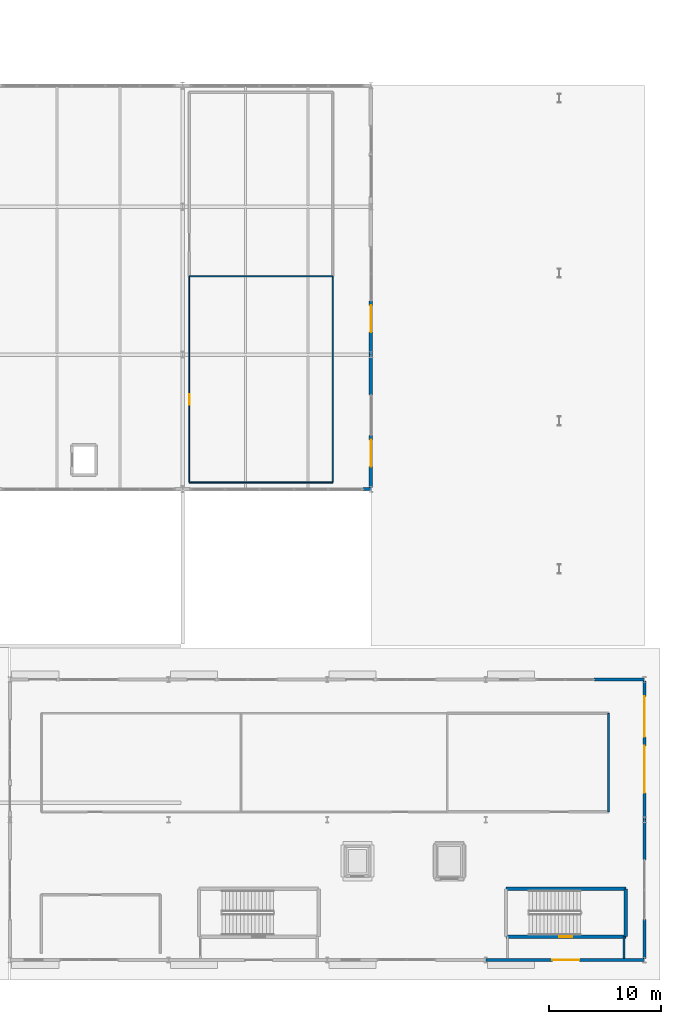
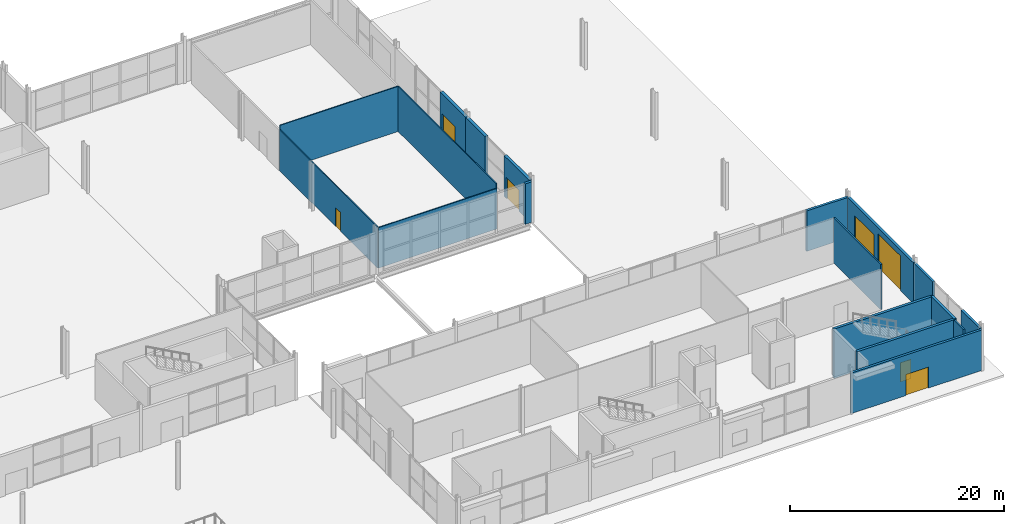
# One storey, part 69 of 87: 18 walls, 7 doors, 7 openings.
"""IFC4 building model written with IfcOpenShell, lengths in metres."""

from ifc_helpers import new_model, si_unit, direction, frame, frame_2d, origin, place, context, subcontext, project, spatial, rectangle, extrude, material, layer, layer_set, type_object, element, fill, save


model = new_model("IFC4")

# Units and contexts
model_context = context("Model", 3, precision=1e-05, world=origin(), true_north=direction((0.0, 1.0)))
body_context = subcontext(model_context, "Body", "Model", "MODEL_VIEW")
ifc_project = project(units=[si_unit("LENGTHUNIT", "METRE"), si_unit("AREAUNIT", "SQUARE_METRE"), si_unit("VOLUMEUNIT", "CUBIC_METRE"), si_unit("PLANEANGLEUNIT", "RADIAN"), si_unit("MASSUNIT", "GRAM", prefix="KILO")], contexts=[model_context])

# Site, building, storey
site_placement = place(None, origin())
site = spatial("IfcSite", under=ifc_project, at=site_placement, CompositionType="ELEMENT")
building_placement = place(site_placement, origin())
building = spatial("IfcBuilding", under=site, at=building_placement, Name="Kimbaza Rail Terminus", CompositionType="ELEMENT")
storey_placement = place(building_placement, origin())
storey = spatial("IfcBuildingStorey", under=building, at=storey_placement, Name="L00", CompositionType="ELEMENT", Elevation=0.0)

# Wall
ifc_material_1 = material(Name="Concrete blockwork C30/37", Category="masonry")
ifc_layer_1 = layer(ifc_material_1, 0.260009765625)
ifc_layer_set_1 = layer_set([ifc_layer_1], Name="Concrete blockwork C30/37")
wall_type_1 = type_object("IfcWallType", Name="ARC-WL-EXT260", PredefinedType="STANDARD", material=ifc_layer_set_1)
wall_1_placement = place(storey_placement, frame((209.5, 38.0, 0.0), z_axis=(0.0, 0.0, 1.0), x_axis=(1.0, 0.0, 0.0)))
element("IfcWall", 1, at=wall_1_placement, inside=storey, type_object=wall_type_1, Name="Pavilion N Wall L00.3B", PredefinedType="STANDARD", context=body_context, shape_type="SweptSolid", body=[
    extrude(rectangle(XDim=4.5, YDim=0.260009765625, at=frame_2d((2.25, 0.0))), origin(), (0.0, 0.0, 1.0), 4.625),
])

# Wall, opening, door
wall_2_placement = place(storey_placement, frame((199.85009765625, 13.0, 0.0), z_axis=(0.0, 0.0, 1.0), x_axis=(1.0, 0.0, 0.0)))
wall_2 = element("IfcWall", 2, at=wall_2_placement, inside=storey, type_object=wall_type_1, Name="Pavilion South Stair Exit Wall 3", PredefinedType="STANDARD", context=body_context, shape_type="SweptSolid", body=[
    extrude(rectangle(XDim=14.14990234375, YDim=0.260009765625, at=frame_2d((7.074951171875, 0.0))), origin(), (0.0, 0.0, 1.0), 4.625),
])
opening_1_placement = place(wall_2_placement, frame((8.349853515625, 0.0, 0.0), z_axis=(0.0, 0.0, 1.0), x_axis=(-1.0, 0.0, 0.0)))
opening_1 = element("IfcOpeningElement", 3, at=opening_1_placement, cuts=wall_2, Name="Opening D-EX1", PredefinedType="OPENING", context=body_context, shape_type="SweptSolid", body=[
    extrude(rectangle(XDim=2.39990234375, YDim=2.39990234375, at=frame_2d((1.199951171875, 1.199951171875))), frame((0.0, 0.139892578125, 0.0), z_axis=(0.0, -1.0, 0.0), x_axis=(1.0, 0.0, 0.0)), (0.0, 0.0, 1.0), 0.280029296875),
])
ifc_material_2 = material(Name="Anodised aluminium and toughened safety glass", Category="aluminium")
door_type_1 = type_object("IfcDoorType", Name="ARC-DR-EX240", OperationType="NOTDEFINED", PredefinedType="DOOR", material=ifc_material_2)
door_1_placement = place(opening_1_placement, origin())
door_1 = element("IfcDoor", 4, at=door_1_placement, inside=storey, type_object=door_type_1, Name="DR-EX-STP2", OperationType="SINGLE_SWING_LEFT", OverallHeight=2.39990234375, OverallWidth=2.39990234375, PredefinedType="DOOR", context=body_context, shape_type="SweptSolid", body=[
    extrude(rectangle(XDim=2.39990234375, YDim=2.39990234375, at=frame_2d((1.199951171875, 1.199951171875))), frame((0.0, 0.02490234375, 0.0), z_axis=(0.0, -1.0, 0.0), x_axis=(1.0, 0.0, 0.0)), (0.0, 0.0, 1.0), 0.050048828125),
])
fill(opening_1, door_1)

# Walls
wall_3_placement = place(storey_placement, frame((214.0, 13.1298828125, 0.0), z_axis=(0.0, 0.0, 1.0), x_axis=(0.0, 1.0, 0.0)))
element("IfcWall", 5, at=wall_3_placement, inside=storey, type_object=wall_type_1, Name="Pavilion E Pier L00.0", PredefinedType="STANDARD", context=body_context, shape_type="SweptSolid", body=[
    extrude(rectangle(XDim=3.47021484375, YDim=0.260009765625, at=frame_2d((1.735107421875, 0.0))), origin(), (0.0, 0.0, 1.0), 4.675048828125),
])
wall_4_placement = place(storey_placement, frame((214.0, 21.89990234375, 0.0), z_axis=(0.0, 0.0, 1.0), x_axis=(0.0, 1.0, 0.0)))
element("IfcWall", 6, at=wall_4_placement, inside=storey, type_object=wall_type_1, Name="Pavilion E Corner L00.0", PredefinedType="STANDARD", context=body_context, shape_type="SweptSolid", body=[
    extrude(rectangle(XDim=3.60009765625, YDim=0.260009765625, at=frame_2d((1.800048828125, 0.0))), origin(), (0.0, 0.0, 1.0), 4.675048828125),
])
ifc_material_3 = material(Name="Precast concrete C40/50", Category="concrete")
ifc_layer_2 = layer(ifc_material_3, 0.280029296875)
ifc_layer_set_2 = layer_set([ifc_layer_2], Name="Precast concrete C40/50")
wall_type_2 = type_object("IfcWallType", Name="ARC-WL-EXT280", PredefinedType="STANDARD", material=ifc_layer_set_2)
wall_5_placement = place(storey_placement, frame((188.8798828125, 55.0, 0.0), z_axis=(0.0, 0.0, 1.0), x_axis=(1.0, 0.0, 0.0)))
element("IfcWall", 7, at=wall_5_placement, inside=storey, type_object=wall_type_2, Name="Ticket Hall Wing E Curtain Wall L00.2 Corner Pier B", PredefinedType="STANDARD", context=body_context, shape_type="SweptSolid", body=[
    extrude(rectangle(XDim=0.72021484375, YDim=0.280029296875, at=frame_2d((0.360107421875, 0.0))), origin(), (0.0, 0.0, 1.0), 4.625),
])

# Wall, openings, doors
wall_6_placement = place(storey_placement, frame((214.0, 25.5, 0.0), z_axis=(0.0, 0.0, 1.0), x_axis=(0.0, 1.0, 0.0)))
wall_6 = element("IfcWall", 8, at=wall_6_placement, inside=storey, type_object=wall_type_2, Name="Retail Pavilion East Loading Wall", PredefinedType="STANDARD", context=body_context, shape_type="SweptSolid", body=[
    extrude(rectangle(XDim=12.3701171875, YDim=0.280029296875, at=frame_2d((6.18505859375, 0.0))), origin(), (0.0, 0.0, 1.0), 4.675048828125),
])
opening_2_placement = place(wall_6_placement, frame((6.599853515625, 0.0, 0.0), z_axis=(0.0, 0.0, 1.0), x_axis=(-1.0, 0.0, 0.0)))
opening_2 = element("IfcOpeningElement", 9, at=opening_2_placement, cuts=wall_6, Name="Opening D-GT1", PredefinedType="OPENING", context=body_context, shape_type="SweptSolid", body=[
    extrude(rectangle(XDim=4.199951171875, YDim=4.0, at=frame_2d((2.10009765625, 2.0))), frame((0.0, 0.14990234375, 0.0), z_axis=(0.0, -1.0, 0.0), x_axis=(1.0, 0.0, 0.0)), (0.0, 0.0, 1.0), 0.300048828125),
])
opening_3_placement = place(wall_6_placement, frame((11.0, 0.0, 0.0), z_axis=(0.0, 0.0, 1.0), x_axis=(-1.0, 0.0, 0.0)))
opening_3 = element("IfcOpeningElement", 10, at=opening_3_placement, cuts=wall_6, Name="Opening D-GT2", PredefinedType="OPENING", context=body_context, shape_type="SweptSolid", body=[
    extrude(rectangle(XDim=3.60009765625, YDim=3.39990234375, at=frame_2d((1.800048828125, 1.699951171875))), frame((0.0, 0.14990234375, 0.0), z_axis=(0.0, -1.0, 0.0), x_axis=(1.0, 0.0, 0.0)), (0.0, 0.0, 1.0), 0.300048828125),
])
ifc_material_4 = material(Name="Galvanised steel baggage service shutter", Category="steel")
door_type_2 = type_object("IfcDoorType", Name="ARC-DR-GAT36", OperationType="NOTDEFINED", PredefinedType="GATE", material=ifc_material_4)
door_2_placement = place(opening_3_placement, origin())
door_2 = element("IfcDoor", 11, at=door_2_placement, inside=storey, type_object=door_type_2, Name="DR-GAT-V4LOAD2", OperationType="ROLLINGUP", OverallHeight=3.39990234375, OverallWidth=3.60009765625, PredefinedType="GATE", context=body_context, shape_type="SweptSolid", body=[
    extrude(rectangle(XDim=3.60009765625, YDim=3.39990234375, at=frame_2d((1.800048828125, 1.699951171875))), frame((0.0, 0.02490234375, 0.0), z_axis=(0.0, -1.0, 0.0), x_axis=(1.0, 0.0, 0.0)), (0.0, 0.0, 1.0), 0.050048828125),
])
fill(opening_3, door_2)
ifc_material_5 = material(Name="Galvanised steel insulated roller shutter", Category="steel")
door_type_3 = type_object("IfcDoorType", Name="ARC-DR-GAT42", OperationType="NOTDEFINED", PredefinedType="GATE", material=ifc_material_5)
door_3_placement = place(opening_2_placement, origin())
door_3 = element("IfcDoor", 12, at=door_3_placement, inside=storey, type_object=door_type_3, Name="DR-GAT-V4LOAD1", OperationType="ROLLINGUP", OverallHeight=4.0, OverallWidth=4.199951171875, PredefinedType="GATE", context=body_context, shape_type="SweptSolid", body=[
    extrude(rectangle(XDim=4.199951171875, YDim=4.0, at=frame_2d((2.10009765625, 2.0))), frame((0.0, 0.02490234375, 0.0), z_axis=(0.0, -1.0, 0.0), x_axis=(1.0, 0.0, 0.0)), (0.0, 0.0, 1.0), 0.050048828125),
])
fill(opening_2, door_3)

# Wall, opening, door
ifc_material_6 = material(Name="Precast concrete C40/50", Category="concrete")
ifc_layer_3 = layer(ifc_material_6, 0.320068359375)
ifc_layer_set_3 = layer_set([ifc_layer_3], Name="Precast concrete C40/50")
wall_type_3 = type_object("IfcWallType", Name="ARC-WL-EXT320", PredefinedType="STANDARD", material=ifc_layer_set_3)
wall_7_placement = place(storey_placement, frame((189.60009765625, 55.139892578125, 0.0), z_axis=(0.0, 0.0, 1.0), x_axis=(0.0, 1.0, 0.0)))
wall_7 = element("IfcWall", 13, at=wall_7_placement, inside=storey, type_object=wall_type_3, Name="Ticket Hall E Flank Wall L00.1", PredefinedType="STANDARD", context=body_context, shape_type="SweptSolid", body=[
    extrude(rectangle(XDim=4.66015625, YDim=0.320068359375, at=frame_2d((2.330078125, 0.0))), origin(), (0.0, 0.0, 1.0), 4.675048828125),
])
opening_4_placement = place(wall_7_placement, frame((4.260009765625, 0.0, 0.0), z_axis=(0.0, 0.0, 1.0), x_axis=(-1.0, 0.0, 0.0)))
opening_4 = element("IfcOpeningElement", 14, at=opening_4_placement, cuts=wall_7, Name="Opening D-EX1", PredefinedType="OPENING", context=body_context, shape_type="SweptSolid", body=[
    extrude(rectangle(XDim=2.39990234375, YDim=2.39990234375, at=frame_2d((1.199951171875, 1.199951171875))), frame((0.0, 0.169921875, 0.0), z_axis=(0.0, -1.0, 0.0), x_axis=(1.0, 0.0, 0.0)), (0.0, 0.0, 1.0), 0.340087890625),
])
door_4_placement = place(opening_4_placement, origin())
door_4 = element("IfcDoor", 15, at=door_4_placement, inside=storey, type_object=door_type_1, Name="DR-EX-E1", OperationType="SINGLE_SWING_RIGHT", OverallHeight=2.39990234375, OverallWidth=2.39990234375, PredefinedType="DOOR", context=body_context, shape_type="SweptSolid", body=[
    extrude(rectangle(XDim=2.39990234375, YDim=2.39990234375, at=frame_2d((1.199951171875, 1.199951171875))), frame((0.0, 0.02490234375, 0.0), z_axis=(0.0, -1.0, 0.0), x_axis=(1.0, 0.0, 0.0)), (0.0, 0.0, 1.0), 0.050048828125),
])
fill(opening_4, door_4)

# Wall
wall_8_placement = place(storey_placement, frame((189.60009765625, 63.39990234375, 0.0), z_axis=(0.0, 0.0, 1.0), x_axis=(0.0, 1.0, 0.0)))
element("IfcWall", 16, at=wall_8_placement, inside=storey, type_object=wall_type_3, Name="Ticket Hall E Pier L00.1", PredefinedType="STANDARD", context=body_context, shape_type="SweptSolid", body=[
    extrude(rectangle(XDim=3.60009765625, YDim=0.320068359375, at=frame_2d((1.800048828125, 0.0))), origin(), (0.0, 0.0, 1.0), 4.675048828125),
])

# Wall, opening, door
wall_9_placement = place(storey_placement, frame((189.60009765625, 67.0, 0.0), z_axis=(0.0, 0.0, 1.0), x_axis=(0.0, 1.0, 0.0)))
wall_9 = element("IfcWall", 17, at=wall_9_placement, inside=storey, type_object=wall_type_3, Name="Ticket Hall E Flank Wall L00.2", PredefinedType="STANDARD", context=body_context, shape_type="SweptSolid", body=[
    extrude(rectangle(XDim=4.800048828125, YDim=0.320068359375, at=frame_2d((2.39990234375, 0.0))), origin(), (0.0, 0.0, 1.0), 4.675048828125),
])
opening_5_placement = place(wall_9_placement, frame((4.39990234375, 0.0, 0.0), z_axis=(0.0, 0.0, 1.0), x_axis=(-1.0, 0.0, 0.0)))
opening_5 = element("IfcOpeningElement", 18, at=opening_5_placement, cuts=wall_9, Name="Opening D-EX1", PredefinedType="OPENING", context=body_context, shape_type="SweptSolid", body=[
    extrude(rectangle(XDim=2.39990234375, YDim=2.39990234375, at=frame_2d((1.199951171875, 1.199951171875))), frame((0.0, 0.169921875, 0.0), z_axis=(0.0, -1.0, 0.0), x_axis=(1.0, 0.0, 0.0)), (0.0, 0.0, 1.0), 0.340087890625),
])
door_5_placement = place(opening_5_placement, origin())
door_5 = element("IfcDoor", 19, at=door_5_placement, inside=storey, type_object=door_type_1, Name="DR-EX-E2", OperationType="SINGLE_SWING_LEFT", OverallHeight=2.39990234375, OverallWidth=2.39990234375, PredefinedType="DOOR", context=body_context, shape_type="SweptSolid", body=[
    extrude(rectangle(XDim=2.39990234375, YDim=2.39990234375, at=frame_2d((1.199951171875, 1.199951171875))), frame((0.0, 0.02490234375, 0.0), z_axis=(0.0, -1.0, 0.0), x_axis=(1.0, 0.0, 0.0)), (0.0, 0.0, 1.0), 0.050048828125),
])
fill(opening_5, door_5)

# Walls
ifc_material_7 = material(Name="Concrete blockwork C30/37", Category="masonry")
ifc_layer_4 = layer(ifc_material_7, 0.179931640625)
ifc_layer_set_4 = layer_set([ifc_layer_4], Name="Concrete blockwork C30/37")
wall_type_4 = type_object("IfcWallType", Name="ARC-WL-FIRE180", PredefinedType="PARTITIONING", material=ifc_layer_set_4)
wall_10_placement = place(storey_placement, frame((212.199951171875, 13.139892578125, 0.0), z_axis=(0.0, 0.0, 1.0), x_axis=(0.0, 1.0, 0.0)))
element("IfcWall", 20, at=wall_10_placement, inside=storey, type_object=wall_type_4, Name="Protected Exit Vestibule ST-P2 Partition (east)", PredefinedType="PARTITIONING", context=body_context, shape_type="SweptSolid", body=[
    extrude(rectangle(XDim=1.920166015625, YDim=0.179931640625, at=frame_2d((0.9599609375, 0.0))), origin(), (0.0, 0.0, 1.0), 5.159912109375),
])
ifc_material_8 = material(Name="Demountable acoustic glass wall", Category="glass")
ifc_layer_5 = layer(ifc_material_8, 0.110107421875)
ifc_layer_set_5 = layer_set([ifc_layer_5], Name="Demountable acoustic glass wall")
wall_type_5 = type_object("IfcWallType", Name="ARC-WL-MOV110", PredefinedType="MOVABLE", material=ifc_layer_set_5)
wall_11_placement = place(storey_placement, frame((173.39990234375, 55.60009765625, 0.0), z_axis=(0.0, 0.0, 1.0), x_axis=(1.0, 0.0, 0.0)))
element("IfcWall", 21, at=wall_11_placement, inside=storey, type_object=wall_type_5, Name="First Class Ground Departure Lounge Partition (south)", PredefinedType="MOVABLE", context=body_context, shape_type="SweptSolid", body=[
    extrude(rectangle(XDim=12.800048828125, YDim=0.110107421875, at=frame_2d((6.39990234375, 0.0))), origin(), (0.0, 0.0, 1.0), 4.625),
])
wall_12_placement = place(storey_placement, frame((186.199951171875, 55.60009765625, 0.0), z_axis=(0.0, 0.0, 1.0), x_axis=(0.0, 1.0, 0.0)))
element("IfcWall", 22, at=wall_12_placement, inside=storey, type_object=wall_type_5, Name="First Class Ground Departure Lounge Partition (east)", PredefinedType="MOVABLE", context=body_context, shape_type="SweptSolid", body=[
    extrude(rectangle(XDim=18.39990234375, YDim=0.110107421875, at=frame_2d((9.199951171875, 0.0))), origin(), (0.0, 0.0, 1.0), 5.159912109375),
])
wall_13_placement = place(storey_placement, frame((186.199951171875, 74.0, 0.0), z_axis=(0.0, 0.0, 1.0), x_axis=(-1.0, 0.0, 0.0)))
element("IfcWall", 23, at=wall_13_placement, inside=storey, type_object=wall_type_5, Name="First Class Ground Departure Lounge Partition (north)", PredefinedType="MOVABLE", context=body_context, shape_type="SweptSolid", body=[
    extrude(rectangle(XDim=12.800048828125, YDim=0.110107421875, at=frame_2d((6.39990234375, 0.0))), origin(), (0.0, 0.0, 1.0), 5.159912109375),
])

# Wall, opening, door
wall_14_placement = place(storey_placement, frame((173.39990234375, 74.0, 0.0), z_axis=(0.0, 0.0, 1.0), x_axis=(0.0, -1.0, 0.0)))
wall_14 = element("IfcWall", 24, at=wall_14_placement, inside=storey, type_object=wall_type_5, Name="First Class Ground Departure Lounge Partition (west)", PredefinedType="MOVABLE", context=body_context, shape_type="SweptSolid", body=[
    extrude(rectangle(XDim=18.39990234375, YDim=0.110107421875, at=frame_2d((9.199951171875, 0.0))), origin(), (0.0, 0.0, 1.0), 4.675048828125),
])
opening_6_placement = place(wall_14_placement, frame((10.52490234375, 0.0, 0.0)))
opening_6 = element("IfcOpeningElement", 25, at=opening_6_placement, cuts=wall_14, Name="Opening ID-06", PredefinedType="OPENING", context=body_context, shape_type="SweptSolid", body=[
    extrude(rectangle(XDim=0.949951171875, YDim=2.14990234375, at=frame_2d((0.47509765625, 1.074951171875))), frame((0.0, 0.06494140625, 0.0), z_axis=(0.0, -1.0, 0.0), x_axis=(1.0, 0.0, 0.0)), (0.0, 0.0, 1.0), 0.130126953125),
])
ifc_material_9 = material(Name="Accessible washroom outward-capable door", Category="wood")
door_type_4 = type_object("IfcDoorType", Name="ARC-DR-ID095", OperationType="NOTDEFINED", PredefinedType="DOOR", material=ifc_material_9)
door_6_placement = place(opening_6_placement, origin())
door_6 = element("IfcDoor", 26, at=door_6_placement, inside=storey, type_object=door_type_4, Name="IDR-SPC-L00-VIPW", OperationType="SINGLE_SWING_LEFT", OverallHeight=2.14990234375, OverallWidth=0.949951171875, PredefinedType="DOOR", context=body_context, shape_type="SweptSolid", body=[
    extrude(rectangle(XDim=0.949951171875, YDim=2.14990234375, at=frame_2d((0.47509765625, 1.074951171875))), frame((0.0, 0.02490234375, 0.0), z_axis=(0.0, -1.0, 0.0), x_axis=(1.0, 0.0, 0.0)), (0.0, 0.0, 1.0), 0.050048828125),
])
fill(opening_6, door_6)

# Wall
ifc_material_10 = material(Name="Acoustic gypsum stud partition", Category="gypsum")
ifc_layer_6 = layer(ifc_material_10, 0.159912109375)
ifc_layer_set_6 = layer_set([ifc_layer_6], Name="Acoustic gypsum stud partition")
wall_type_6 = type_object("IfcWallType", Name="ARC-WL-PART160", PredefinedType="PARTITIONING", material=ifc_layer_set_6)
wall_15_placement = place(storey_placement, frame((210.800048828125, 26.199951171875, 0.0), z_axis=(0.0, 0.0, 1.0), x_axis=(0.0, 1.0, 0.0)))
element("IfcWall", 27, at=wall_15_placement, inside=storey, type_object=wall_type_6, Name="Catering and Retail Loading Bay Partition (east)", PredefinedType="PARTITIONING", context=body_context, shape_type="SweptSolid", body=[
    extrude(rectangle(XDim=8.800048828125, YDim=0.159912109375, at=frame_2d((4.39990234375, 0.0))), origin(), (0.0, 0.0, 1.0), 5.159912109375),
])

# Wall, opening, door
ifc_material_11 = material(Name="Concrete C40/50", Category="concrete")
ifc_layer_7 = layer(ifc_material_11, 0.280029296875)
ifc_layer_set_7 = layer_set([ifc_layer_7], Name="Concrete C40/50")
wall_type_7 = type_object("IfcWallType", Name="STR-WL-CORE280", PredefinedType="SHEAR", material=ifc_layer_set_7)
wall_16_placement = place(storey_placement, frame((201.659912109375, 15.06005859375, -0.449951171875), z_axis=(0.0, 0.0, 1.0), x_axis=(1.0, 0.0, 0.0)))
wall_16 = element("IfcWall", 28, at=wall_16_placement, inside=storey, type_object=wall_type_7, Name="Retail Pavilion East Stair Shaft Wall L00-1", PredefinedType="SHEAR", context=body_context, shape_type="SweptSolid", body=[
    extrude(rectangle(XDim=10.68017578125, YDim=0.280029296875, at=frame_2d((5.340087890625, 0.0))), origin(), (0.0, 0.0, 1.0), 5.6298828125),
])
opening_7_placement = place(wall_16_placement, frame((4.764892578125, 0.0, 0.449951171875)))
opening_7 = element("IfcOpeningElement", 29, at=opening_7_placement, cuts=wall_16, Name="Opening FD-03", PredefinedType="OPENING", context=body_context, shape_type="SweptSolid", body=[
    extrude(rectangle(XDim=1.14990234375, YDim=2.199951171875, at=frame_2d((0.574951171875, 1.10009765625))), frame((0.0, 0.14990234375, 0.0), z_axis=(0.0, -1.0, 0.0), x_axis=(1.0, 0.0, 0.0)), (0.0, 0.0, 1.0), 0.300048828125),
])
ifc_material_12 = material(Name="Firefighting lobby self-closing steel door", Category="steel")
door_type_5 = type_object("IfcDoorType", Name="ARC-DR-FD115", OperationType="NOTDEFINED", PredefinedType="DOOR", material=ifc_material_12)
door_7_placement = place(opening_7_placement, origin())
door_7 = element("IfcDoor", 30, at=door_7_placement, inside=storey, type_object=door_type_5, Name="SDR-ST-P2-L00", OperationType="SINGLE_SWING_RIGHT", OverallHeight=2.199951171875, OverallWidth=1.14990234375, PredefinedType="DOOR", context=body_context, shape_type="SweptSolid", body=[
    extrude(rectangle(XDim=1.14990234375, YDim=2.199951171875, at=frame_2d((0.574951171875, 1.10009765625))), frame((0.0, 0.02490234375, 0.0), z_axis=(0.0, -1.0, 0.0), x_axis=(1.0, 0.0, 0.0)), (0.0, 0.0, 1.0), 0.050048828125),
])
fill(opening_7, door_7)

# Walls
wall_17_placement = place(storey_placement, frame((212.340087890625, 15.06005859375, -0.449951171875), z_axis=(0.0, 0.0, 1.0), x_axis=(0.0, 1.0, 0.0)))
element("IfcWall", 31, at=wall_17_placement, inside=storey, type_object=wall_type_7, Name="Retail Pavilion East Stair Shaft Wall L00-2", PredefinedType="SHEAR", context=body_context, shape_type="SweptSolid", body=[
    extrude(rectangle(XDim=4.280029296875, YDim=0.280029296875, at=frame_2d((2.14013671875, 0.0))), origin(), (0.0, 0.0, 1.0), 5.6298828125),
])
wall_18_placement = place(storey_placement, frame((212.340087890625, 19.340087890625, -0.449951171875), z_axis=(0.0, 0.0, 1.0), x_axis=(-1.0, 0.0, 0.0)))
element("IfcWall", 32, at=wall_18_placement, inside=storey, type_object=wall_type_7, Name="Retail Pavilion East Stair Shaft Wall L00-3", PredefinedType="SHEAR", context=body_context, shape_type="SweptSolid", body=[
    extrude(rectangle(XDim=10.68017578125, YDim=0.280029296875, at=frame_2d((5.340087890625, 0.0))), origin(), (0.0, 0.0, 1.0), 5.6298828125),
])

save(model, "model.ifc")
